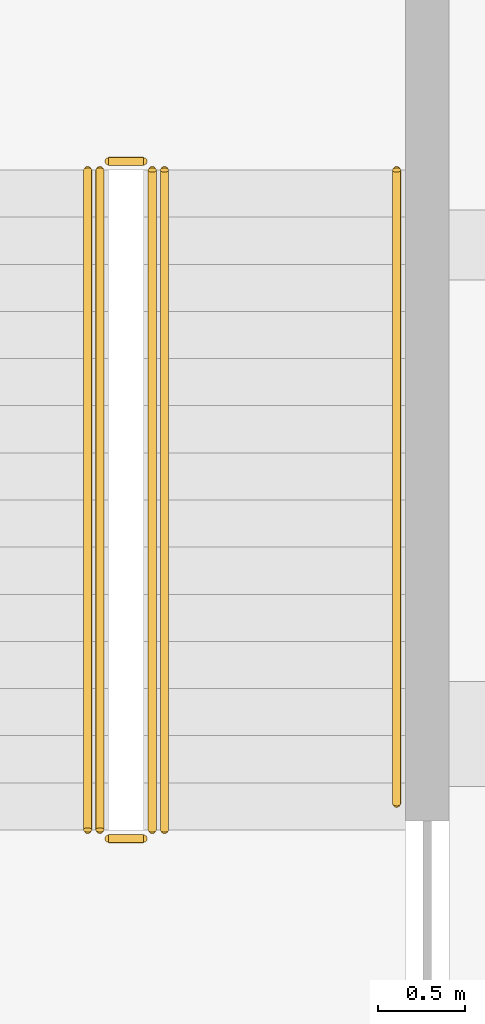
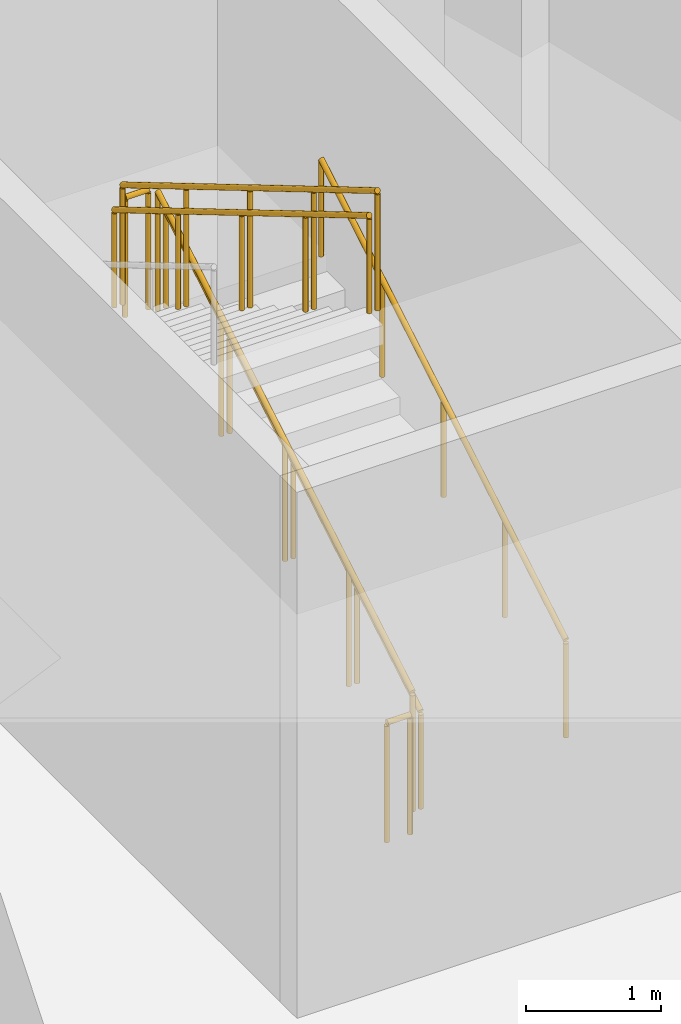
# One storey, part 33 of 37: 7 railings.
"""IFC4 building model written with IfcOpenShell, lengths in metres."""

from ifc_helpers import new_model, si_unit, direction, frame, origin, origin_2d, place, context, subcontext, project, spatial, circle, extrude, material, type_object, element, save


model = new_model("IFC4")

# Units and contexts
model_context = context("Model", 3, precision=1e-05, world=origin(), true_north=direction((0.0, 1.0)))
body_context = subcontext(model_context, "Body", "Model", "MODEL_VIEW")
ifc_project = project(units=[si_unit("LENGTHUNIT", "METRE"), si_unit("AREAUNIT", "SQUARE_METRE"), si_unit("VOLUMEUNIT", "CUBIC_METRE"), si_unit("PLANEANGLEUNIT", "RADIAN"), si_unit("MASSUNIT", "GRAM", prefix="KILO")], contexts=[model_context])

# Site, building, storey
site_placement = place(None, origin())
site = spatial("IfcSite", under=ifc_project, at=site_placement, CompositionType="ELEMENT")
building_placement = place(site_placement, origin())
building = spatial("IfcBuilding", under=site, at=building_placement, Name="Larchfold Concert Hall", CompositionType="ELEMENT")
storey_placement = place(building_placement, frame((0.0, 0.0, 19.199951171875)))
storey = spatial("IfcBuildingStorey", under=building, at=storey_placement, Name="L04", CompositionType="ELEMENT", Elevation=19.199951171875)

# Railings
ifc_material_1 = material(Name="Stainless steel balustrade", Category="steel")
railing_type_1 = type_object("IfcRailingType", Name="Stair guard 1100", PredefinedType="GUARDRAIL", material=ifc_material_1)
railing_1_placement = place(storey_placement, frame((62.050048828125, 92.449951171875, 0.16015625)))
element("IfcRailing", 1, at=railing_1_placement, inside=storey, type_object=railing_type_1, Name="Guard GR0001", PredefinedType="GUARDRAIL", context=body_context, shape_type="SweptSolid", body=[
    extrude(circle(Radius=0.02392578125, at=origin_2d()), frame((0.0, 0.0, 1.076171875), z_axis=(0.0, 0.860294241299, 0.509797821089), x_axis=(-1.0, 0.0, 0.0)), (0.0, 0.0, 1.0), 4.393798828125),
    extrude(circle(Radius=0.02099609375, at=origin_2d()), origin(), (0.0, 0.0, 1.0), 1.052001953125),
    extrude(circle(Radius=0.02099609375, at=origin_2d()), frame((0.0, 0.945068359375, 0.56005859375)), (0.0, 0.0, 1.0), 1.052001953125),
    extrude(circle(Radius=0.02099609375, at=origin_2d()), frame((0.0, 1.89013671875, 1.1201171875)), (0.0, 0.0, 1.0), 1.052001953125),
    extrude(circle(Radius=0.02099609375, at=origin_2d()), frame((0.0, 2.8349609375, 1.679931640625)), (0.0, 0.0, 1.0), 1.052001953125),
    extrude(circle(Radius=0.02099609375, at=origin_2d()), frame((0.0, 3.780029296875, 2.239990234375)), (0.0, 0.0, 1.0), 1.052001953125),
])
railing_2_placement = place(storey_placement, frame((62.0, 96.280029296875, 2.400146484375)))
element("IfcRailing", 2, at=railing_2_placement, inside=storey, type_object=railing_type_1, Name="Guard GR0002", PredefinedType="GUARDRAIL", context=body_context, shape_type="SweptSolid", body=[
    extrude(circle(Radius=0.02392578125, at=origin_2d()), frame((0.0, 0.0, 1.076171875), z_axis=(-1.0, 0.0, 0.0), x_axis=(0.0, -1.0, 0.0)), (0.0, 0.0, 1.0), 0.199951171875),
    extrude(circle(Radius=0.02099609375, at=origin_2d()), origin(), (0.0, 0.0, 1.0), 1.052001953125),
    extrude(circle(Radius=0.02099609375, at=origin_2d()), frame((-0.199951171875, 0.0, 0.0)), (0.0, 0.0, 1.0), 1.052001953125),
])
railing_3_placement = place(storey_placement, frame((61.75, 96.22998046875, 2.56005859375)))
element("IfcRailing", 3, at=railing_3_placement, inside=storey, type_object=railing_type_1, Name="Guard GR0003", PredefinedType="GUARDRAIL", context=body_context, shape_type="SweptSolid", body=[
    extrude(circle(Radius=0.02392578125, at=origin_2d()), frame((0.0, 0.0, 1.076171875), z_axis=(0.0, -0.860294241299, 0.509797821089), x_axis=(1.0, 0.0, 0.0)), (0.0, 0.0, 1.0), 4.393798828125),
    extrude(circle(Radius=0.02099609375, at=origin_2d()), origin(), (0.0, 0.0, 1.0), 1.052001953125),
    extrude(circle(Radius=0.02099609375, at=origin_2d()), frame((0.0, -0.945068359375, 0.56005859375)), (0.0, 0.0, 1.0), 1.052001953125),
    extrude(circle(Radius=0.02099609375, at=origin_2d()), frame((0.0, -1.89013671875, 1.1201171875)), (0.0, 0.0, 1.0), 1.052001953125),
    extrude(circle(Radius=0.02099609375, at=origin_2d()), frame((0.0, -2.8349609375, 1.679931640625)), (0.0, 0.0, 1.0), 1.052001953125),
    extrude(circle(Radius=0.02099609375, at=origin_2d()), frame((0.0, -3.780029296875, 2.239990234375)), (0.0, 0.0, 1.0), 1.052001953125),
])
railing_4_placement = place(storey_placement, frame((62.0, 92.39990234375, 0.0)))
element("IfcRailing", 4, at=railing_4_placement, inside=storey, type_object=railing_type_1, Name="Guard GR0004", PredefinedType="GUARDRAIL", context=body_context, shape_type="SweptSolid", body=[
    extrude(circle(Radius=0.02392578125, at=origin_2d()), frame((0.0, 0.0, 1.076171875), z_axis=(-1.0, 0.0, 0.0), x_axis=(0.0, -1.0, 0.0)), (0.0, 0.0, 1.0), 0.199951171875),
    extrude(circle(Radius=0.02099609375, at=origin_2d()), origin(), (0.0, 0.0, 1.0), 1.052001953125),
    extrude(circle(Radius=0.02099609375, at=origin_2d()), frame((-0.199951171875, 0.0, 0.0)), (0.0, 0.0, 1.0), 1.052001953125),
])
ifc_material_2 = material(Name="Stainless steel handrail", Category="steel")
railing_type_2 = type_object("IfcRailingType", Name="Stair handrail 900", PredefinedType="HANDRAIL", material=ifc_material_2)
railing_5_placement = place(storey_placement, frame((63.449951171875, 92.60009765625, 0.2490234375)))
element("IfcRailing", 5, at=railing_5_placement, inside=storey, type_object=railing_type_2, Name="Handrail HR0001", PredefinedType="HANDRAIL", context=body_context, shape_type="SweptSolid", body=[
    extrude(circle(Radius=0.02392578125, at=origin_2d()), frame((0.0, 0.0, 0.8759765625), z_axis=(0.0, 0.860283074592, 0.509816664665), x_axis=(-1.0, 0.0, 0.0)), (0.0, 0.0, 1.0), 4.219482421875),
    extrude(circle(Radius=0.02099609375, at=origin_2d()), origin(), (0.0, 0.0, 1.0), 0.851806640625),
    extrude(circle(Radius=0.02099609375, at=origin_2d()), frame((0.0, 0.907470703125, 0.537841796875)), (0.0, 0.0, 1.0), 0.851806640625),
    extrude(circle(Radius=0.02099609375, at=origin_2d()), frame((0.0, 1.81494140625, 1.07568359375)), (0.0, 0.0, 1.0), 0.851806640625),
    extrude(circle(Radius=0.02099609375, at=origin_2d()), frame((0.0, 2.722412109375, 1.61328125)), (0.0, 0.0, 1.0), 0.851806640625),
    extrude(circle(Radius=0.02099609375, at=origin_2d()), frame((0.0, 3.6298828125, 2.151123046875)), (0.0, 0.0, 1.0), 0.851806640625),
])
railing_6_placement = place(storey_placement, frame((62.1201171875, 92.449951171875, 0.16015625)))
element("IfcRailing", 6, at=railing_6_placement, inside=storey, type_object=railing_type_2, Name="Handrail HR0003", PredefinedType="HANDRAIL", context=body_context, shape_type="SweptSolid", body=[
    extrude(circle(Radius=0.02392578125, at=origin_2d()), frame((0.0, 0.0, 0.8759765625), z_axis=(0.0, 0.860294241299, 0.509797821089), x_axis=(-1.0, 0.0, 0.0)), (0.0, 0.0, 1.0), 4.393798828125),
    extrude(circle(Radius=0.02099609375, at=origin_2d()), origin(), (0.0, 0.0, 1.0), 0.851806640625),
    extrude(circle(Radius=0.02099609375, at=origin_2d()), frame((0.0, 0.945068359375, 0.56005859375)), (0.0, 0.0, 1.0), 0.851806640625),
    extrude(circle(Radius=0.02099609375, at=origin_2d()), frame((0.0, 1.89013671875, 1.1201171875)), (0.0, 0.0, 1.0), 0.851806640625),
    extrude(circle(Radius=0.02099609375, at=origin_2d()), frame((0.0, 2.8349609375, 1.679931640625)), (0.0, 0.0, 1.0), 0.851806640625),
    extrude(circle(Radius=0.02099609375, at=origin_2d()), frame((0.0, 3.780029296875, 2.239990234375)), (0.0, 0.0, 1.0), 0.851806640625),
])
railing_7_placement = place(storey_placement, frame((61.679931640625, 96.22998046875, 2.56005859375)))
element("IfcRailing", 7, at=railing_7_placement, inside=storey, type_object=railing_type_2, Name="Handrail HR0004", PredefinedType="HANDRAIL", context=body_context, shape_type="SweptSolid", body=[
    extrude(circle(Radius=0.02392578125, at=origin_2d()), frame((0.0, 0.0, 0.8759765625), z_axis=(0.0, -0.860294241299, 0.509797821089), x_axis=(1.0, 0.0, 0.0)), (0.0, 0.0, 1.0), 4.393798828125),
    extrude(circle(Radius=0.02099609375, at=origin_2d()), origin(), (0.0, 0.0, 1.0), 0.851806640625),
    extrude(circle(Radius=0.02099609375, at=origin_2d()), frame((0.0, -0.945068359375, 0.56005859375)), (0.0, 0.0, 1.0), 0.851806640625),
    extrude(circle(Radius=0.02099609375, at=origin_2d()), frame((0.0, -1.89013671875, 1.1201171875)), (0.0, 0.0, 1.0), 0.851806640625),
    extrude(circle(Radius=0.02099609375, at=origin_2d()), frame((0.0, -2.8349609375, 1.679931640625)), (0.0, 0.0, 1.0), 0.851806640625),
    extrude(circle(Radius=0.02099609375, at=origin_2d()), frame((0.0, -3.780029296875, 2.239990234375)), (0.0, 0.0, 1.0), 0.851806640625),
])

save(model, "model.ifc")
